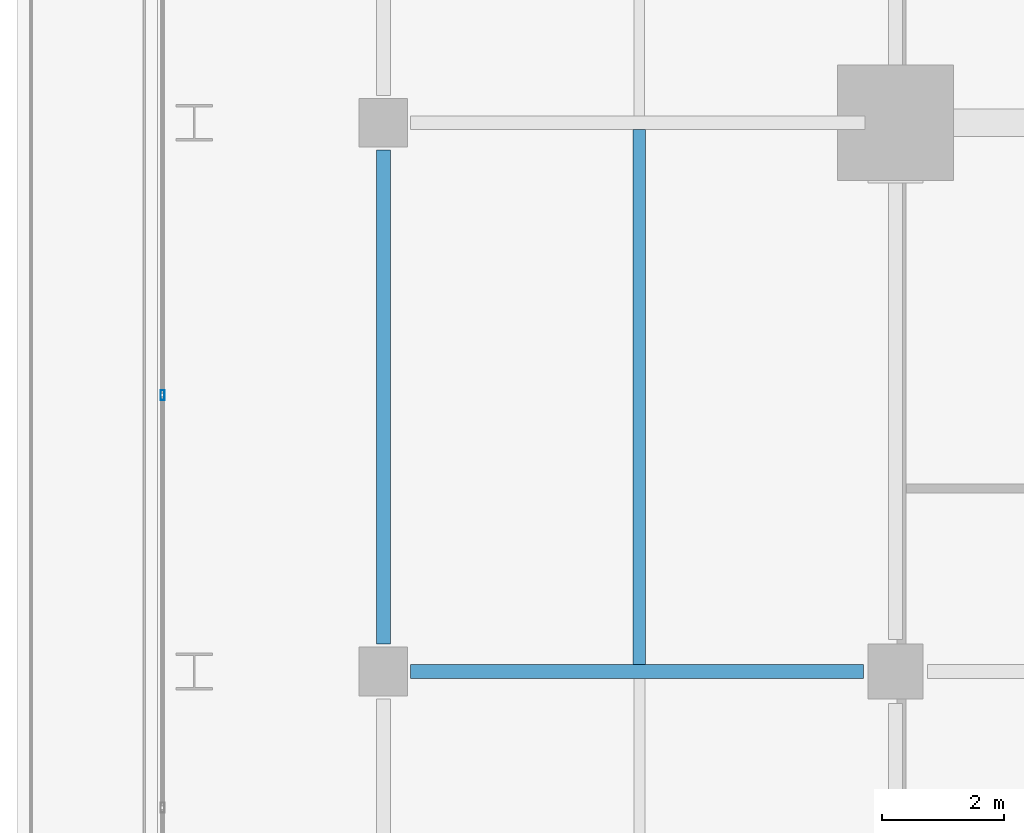
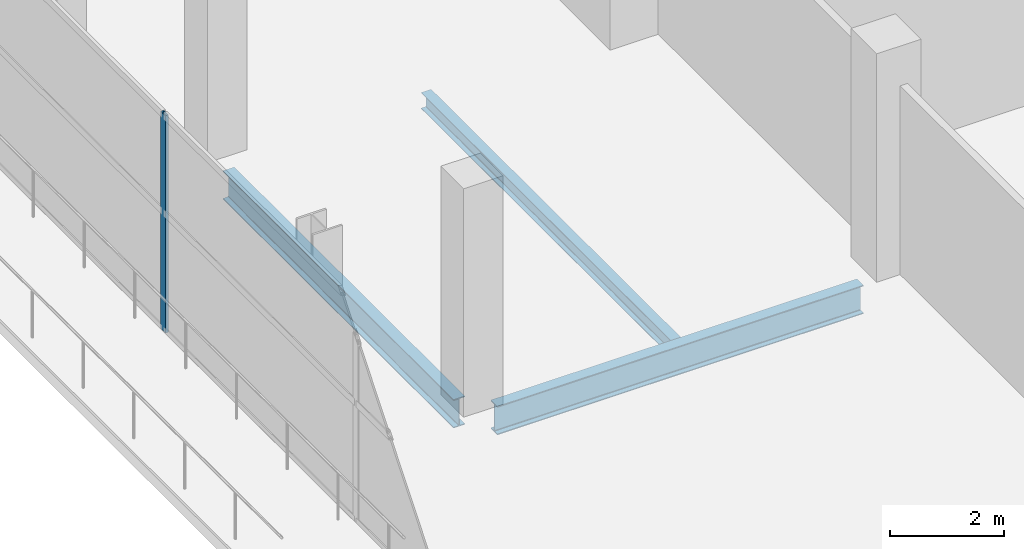
# One storey, part 7 of 31: 3 beams, 1 member, 1 element without a shape of its own.
"""IFC4 building model written with IfcOpenShell, lengths in metres."""

from ifc_helpers import new_model, si_unit, direction, frame, origin, origin_2d, place, context, subcontext, project, spatial, hollow_rectangle, i_section, extrude, material, layer, layer_set, material_profile, profile_set, type_object, element, aggregate, save


model = new_model("IFC4")

# Units and contexts
model_context = context("Model", 3, precision=1e-05, world=origin(), true_north=direction((0.0, 1.0)))
body_context = subcontext(model_context, "Body", "Model", "MODEL_VIEW")
ifc_project = project(units=[si_unit("LENGTHUNIT", "METRE"), si_unit("AREAUNIT", "SQUARE_METRE"), si_unit("VOLUMEUNIT", "CUBIC_METRE"), si_unit("PLANEANGLEUNIT", "RADIAN"), si_unit("MASSUNIT", "GRAM", prefix="KILO")], contexts=[model_context])

# Site, building, storey
site_placement = place(None, origin())
site = spatial("IfcSite", under=ifc_project, at=site_placement, CompositionType="ELEMENT")
building_placement = place(site_placement, origin())
building = spatial("IfcBuilding", under=site, at=building_placement, Name="Maruvema Waterfront Hotel and Observation Tower", CompositionType="ELEMENT")
storey_placement = place(building_placement, frame((0.0, 0.0, 122.5)))
storey = spatial("IfcBuildingStorey", under=building, at=storey_placement, Name="L29", CompositionType="ELEMENT", Elevation=122.5)

# Curtain wall, member
ifc_material_1 = material(Name="Anodised bronze aluminium and solar-control low-E IGU", Category="aluminium")
ifc_layer = layer(ifc_material_1, 0.159912109375, Name="Zone 2 Amber Inner Thermal Curtain Wall System CW-03")
ifc_layer_set = layer_set([ifc_layer], Name="Anodised bronze aluminium and solar-control low-E IGU")
curtain_wall_type = type_object("IfcCurtainWallType", Name="Zone 2 Amber Inner Thermal Curtain Wall System CW-03", PredefinedType="USERDEFINED", material=ifc_layer_set)
curtain_wall_placement = place(storey_placement, origin())
curtain_wall = element("IfcCurtainWall", 1, at=curtain_wall_placement, inside=storey, type_object=curtain_wall_type, Name="L29 Curtain Wall CW-L29-W", ObjectType="UNITISED CURTAIN WALL", PredefinedType="USERDEFINED")
ifc_material_2 = material(Name="Anodised architectural bronze aluminium", Category="aluminium")
ifc_material_profile_1 = material_profile(ifc_material_2, hollow_rectangle(XDim=0.06494140625, YDim=0.1650390625, WallThickness=0.00390625, at=origin_2d()), Name="ALU-M65x165")
ifc_profile_set_1 = profile_set([ifc_material_profile_1], Name="Anodised architectural bronze aluminium")
member_type = type_object("IfcMemberType", Name="Curtain Wall Primary Mullion ALU-M65x165", PredefinedType="MULLION", material=ifc_profile_set_1)
member_placement = place(storey_placement, frame((13.179931640625, 22.533447265625, 0.0), z_axis=(0.0, 0.0, 1.0), x_axis=(1.0, 0.0, 0.0)))
member = element("IfcMember", 2, at=member_placement, type_object=member_type, Name="CW-03 mullion 5", PredefinedType="MULLION", context=body_context, shape_type="SweptSolid", body=[
    extrude(hollow_rectangle(XDim=0.06494140625, YDim=0.1650390625, WallThickness=0.00390625, at=origin_2d()), origin(), (0.0, 0.0, 1.0), 4.659912109375),
])
aggregate(curtain_wall, [member])

# Beams
ifc_material_3 = material(Name="Steel ASTM A572 Grade 50", Category="steel")
ifc_material_profile_2 = material_profile(ifc_material_3, i_section(OverallWidth=0.22900390625, OverallDepth=0.612060546875, WebThickness=0.011962890625, FlangeThickness=0.01953125, FilletRadius=0.01806640625, at=origin_2d()), Name="W610x125.0")
ifc_profile_set_2 = profile_set([ifc_material_profile_2], Name="Steel ASTM A572 Grade 50")
beam_type_1 = type_object("IfcBeamType", Name="Primary Floor Girder W610x125.0", PredefinedType="BEAM", material=ifc_profile_set_2)
beam_1_placement = place(storey_placement, frame((17.25, 18.0, -0.5458984375), z_axis=(1.0, 0.0, 0.0), x_axis=(0.0, 1.0, 0.0)))
element("IfcBeam", 3, at=beam_1_placement, inside=storey, type_object=beam_type_1, Name="L29 Floor Girder EW-06", PredefinedType="BEAM", context=body_context, shape_type="SweptSolid", body=[
    extrude(i_section(OverallWidth=0.22900390625, OverallDepth=0.612060546875, WebThickness=0.011962890625, FlangeThickness=0.01953125, FilletRadius=0.01806640625, at=origin_2d()), origin(), (0.0, 0.0, 1.0), 7.425048828125),
])
beam_2_placement = place(storey_placement, frame((16.800048828125, 18.449951171875, -0.5458984375), z_axis=(0.0, 1.0, 0.0), x_axis=(-1.0, 0.0, 0.0)))
element("IfcBeam", 4, at=beam_2_placement, inside=storey, type_object=beam_type_1, Name="L29 Floor Girder NS-02", PredefinedType="BEAM", context=body_context, shape_type="SweptSolid", body=[
    extrude(i_section(OverallWidth=0.22900390625, OverallDepth=0.612060546875, WebThickness=0.011962890625, FlangeThickness=0.01953125, FilletRadius=0.01806640625, at=origin_2d()), origin(), (0.0, 0.0, 1.0), 8.10009765625),
])
ifc_material_4 = material(Name="Steel ASTM A572 Grade 50", Category="steel")
ifc_material_profile_3 = material_profile(ifc_material_4, i_section(OverallWidth=0.202880859375, OverallDepth=0.346923828125, WebThickness=0.0078125, FlangeThickness=0.013427734375, FilletRadius=0.014892578125, at=origin_2d()), Name="W360x64.0")
ifc_profile_set_3 = profile_set([ifc_material_profile_3], Name="Steel ASTM A572 Grade 50")
beam_type_2 = type_object("IfcBeamType", Name="Secondary Floor Joist W360x64.0", PredefinedType="JOIST", material=ifc_profile_set_3)
beam_3_placement = place(storey_placement, frame((21.0, 18.114501953125, -0.41357421875), z_axis=(0.0, 1.0, 0.0), x_axis=(-1.0, 0.0, 0.0)))
element("IfcBeam", 5, at=beam_3_placement, inside=storey, type_object=beam_type_2, Name="L29 Secondary Floor Joist JS-02", PredefinedType="JOIST", context=body_context, shape_type="SweptSolid", body=[
    extrude(i_section(OverallWidth=0.202880859375, OverallDepth=0.346923828125, WebThickness=0.0078125, FlangeThickness=0.013427734375, FilletRadius=0.014892578125, at=origin_2d()), origin(), (0.0, 0.0, 1.0), 8.77099609375),
])

save(model, "model.ifc")
